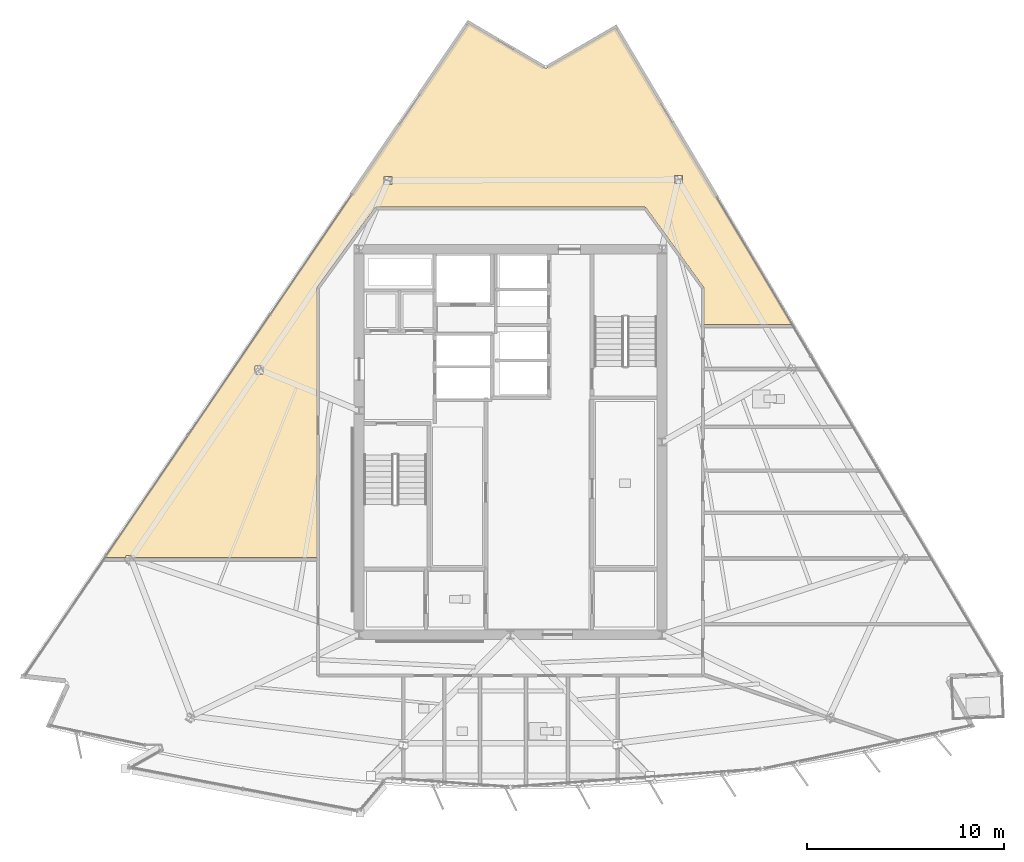
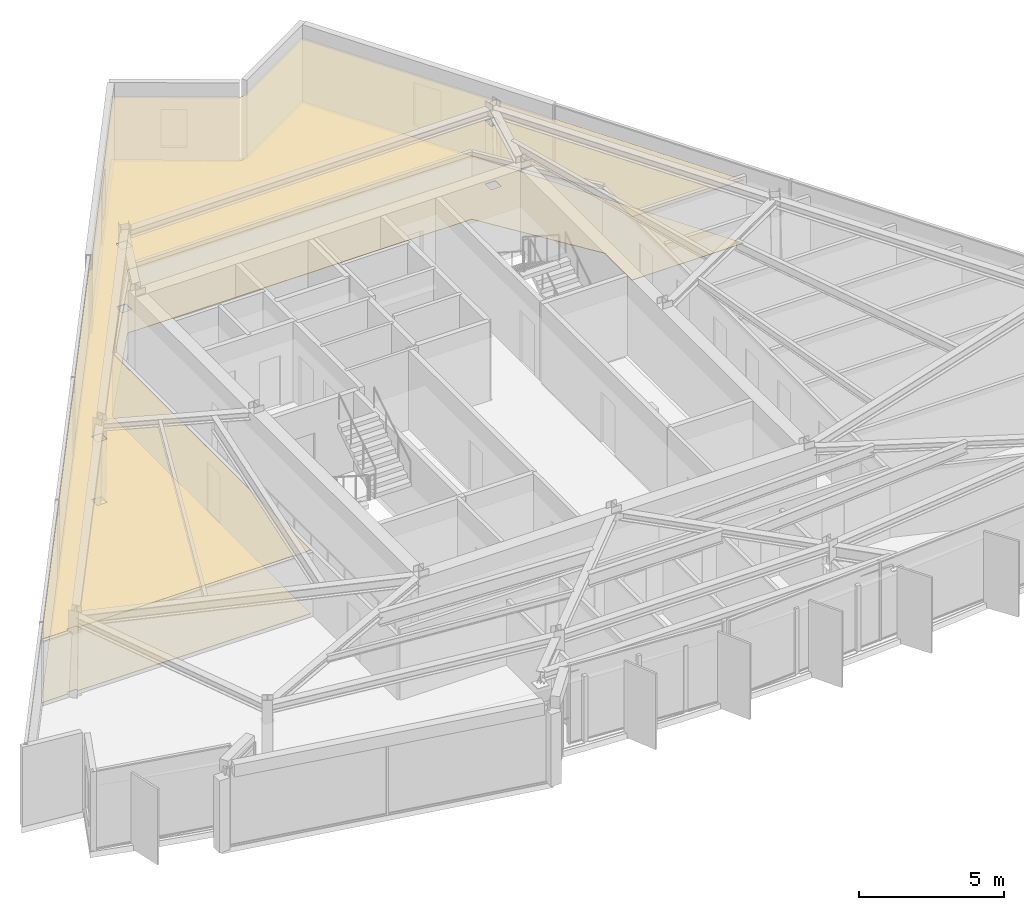
# One storey, part 12 of 14: 2 coverings.
"""IFC4 building model written with IfcOpenShell, lengths in metres."""

from ifc_helpers import new_model, si_unit, direction, frame, origin, place, context, subcontext, project, spatial, polyline, outline, extrude, material, layer, layer_set, type_object, element, save


model = new_model("IFC4")

# Units and contexts
model_context = context("Model", 3, precision=1e-05, world=origin(), true_north=direction((0.0, 1.0)))
body_context = subcontext(model_context, "Body", "Model", "MODEL_VIEW")
ifc_project = project(units=[si_unit("LENGTHUNIT", "METRE"), si_unit("AREAUNIT", "SQUARE_METRE"), si_unit("VOLUMEUNIT", "CUBIC_METRE"), si_unit("PLANEANGLEUNIT", "RADIAN"), si_unit("MASSUNIT", "GRAM", prefix="KILO")], contexts=[model_context])

# Site, building, storey
site_placement = place(None, origin())
site = spatial("IfcSite", under=ifc_project, at=site_placement, CompositionType="ELEMENT")
building_placement = place(site_placement, origin())
building = spatial("IfcBuilding", under=site, at=building_placement, Name="Savorim Split Tower", CompositionType="ELEMENT")
storey_placement = place(building_placement, frame((0.0, 0.0, 230.699951171875)))
storey = spatial("IfcBuildingStorey", under=building, at=storey_placement, Name="L61", CompositionType="ELEMENT", Elevation=230.699951171875)

# Coverings
ifc_material_1 = material(Name="Mineral Fibre Acoustic Ceiling")
ifc_layer_1 = layer(ifc_material_1, 0.02490234375)
ifc_layer_set_1 = layer_set([ifc_layer_1], Name="COV-CEIL-25")
covering_type_1 = type_object("IfcCoveringType", Name="COV-CEIL-25", PredefinedType="CEILING", material=ifc_layer_set_1)
covering_1_placement = place(storey_placement, frame((0.0, 0.0, 2.670166015625)))
element("IfcCovering", 1, at=covering_1_placement, inside=storey, type_object=covering_type_1, Name="L61 Co-Working Commons Acoustic Ceiling", PredefinedType="CEILING", context=body_context, shape_type="SweptSolid", body=[
    extrude(outline(polyline([(1.748779296875, 19.415283203125), (1.73828125, 19.419921875), (1.72802734375, 19.425048828125), (-2.13427734375, 21.695068359375), (-20.6201171875, -5.478759765625), (-19.53759765625, -5.478759765625), (-19.53759765625, -5.377685546875), (-19.1435546875, -5.377685546875), (-19.1435546875, -5.478759765625), (-9.840087890625, -5.478759765625), (-9.840087890625, 8.199951171875), (-9.839111328125, 8.214599609375), (-9.8369140625, 8.22900390625), (-9.833251953125, 8.2431640625), (-9.827880859375, 8.2568359375), (-9.8212890625, 8.27001953125), (-9.813232421875, 8.2822265625), (-6.913330078125, 12.2822265625), (-6.905029296875, 12.29248046875), (-6.89599609375, 12.302001953125), (-6.885986328125, 12.310546875), (-6.875, 12.318115234375), (-6.863525390625, 12.32470703125), (-6.8515625, 12.330078125), (-6.839111328125, 12.33447265625), (-6.826416015625, 12.33740234375), (-6.813232421875, 12.33935546875), (-6.800048828125, 12.340087890625), (6.800048828125, 12.340087890625), (6.813232421875, 12.33935546875), (6.826416015625, 12.33740234375), (6.839111328125, 12.33447265625), (6.8515625, 12.330078125), (6.863525390625, 12.32470703125), (6.875, 12.318115234375), (6.885986328125, 12.310546875), (6.89599609375, 12.302001953125), (6.905029296875, 12.29248046875), (6.913330078125, 12.2822265625), (9.813232421875, 8.2822265625), (9.8212890625, 8.27001953125), (9.827880859375, 8.2568359375), (9.833251953125, 8.2431640625), (9.8369140625, 8.22900390625), (9.839111328125, 8.214599609375), (9.840087890625, 8.199951171875), (9.840087890625, 6.384521484375), (14.30908203125, 6.384521484375), (5.343994140625, 21.461669921875), (1.84912109375, 19.4248046875), (1.839111328125, 19.419677734375), (1.828369140625, 19.415283203125), (1.817138671875, 19.412109375), (1.805908203125, 19.409912109375), (1.79443359375, 19.40869140625), (1.78271484375, 19.40869140625), (1.771240234375, 19.409912109375), (1.760009765625, 19.412109375), (1.748779296875, 19.415283203125)]), holes=[polyline([(8.7373046875, 13.938232421875), (8.343505859375, 13.938232421875), (8.343505859375, 13.54638671875), (8.7373046875, 13.54638671875), (8.7373046875, 13.938232421875)]), polyline([(-6.036376953125, 13.889404296875), (-6.430419921875, 13.889404296875), (-6.430419921875, 13.49755859375), (-6.036376953125, 13.49755859375), (-6.036376953125, 13.889404296875)]), polyline([(-12.98388671875, 4.255859375), (-12.98388671875, 3.86376953125), (-12.590087890625, 3.86376953125), (-12.590087890625, 4.255859375), (-12.98388671875, 4.255859375)])]), origin(), (0.0, 0.0, 1.0), 0.02490234375),
])
ifc_material_2 = material(Name="Porcelain Stoneware Flooring", Category="masonry")
ifc_layer_2 = layer(ifc_material_2, 0.02001953125)
ifc_layer_set_2 = layer_set([ifc_layer_2], Name="COV-FLOR-20")
covering_type_2 = type_object("IfcCoveringType", Name="COV-FLOR-20", PredefinedType="FLOORING", material=ifc_layer_set_2)
covering_2_placement = place(storey_placement, origin())
element("IfcCovering", 2, at=covering_2_placement, inside=storey, type_object=covering_type_2, Name="L61 Co-Working Commons Porcelain Flooring", PredefinedType="FLOORING", context=body_context, shape_type="SweptSolid", body=[
    extrude(outline(polyline([(1.748779296875, 19.415283203125), (1.73828125, 19.419921875), (1.72802734375, 19.425048828125), (-2.13427734375, 21.695068359375), (-20.6201171875, -5.478759765625), (-19.53759765625, -5.478759765625), (-19.53759765625, -5.377685546875), (-19.1435546875, -5.377685546875), (-19.1435546875, -5.478759765625), (-9.840087890625, -5.478759765625), (-9.840087890625, 8.199951171875), (-9.839111328125, 8.214599609375), (-9.8369140625, 8.22900390625), (-9.833251953125, 8.2431640625), (-9.827880859375, 8.2568359375), (-9.8212890625, 8.27001953125), (-9.813232421875, 8.2822265625), (-6.913330078125, 12.2822265625), (-6.905029296875, 12.29248046875), (-6.89599609375, 12.302001953125), (-6.885986328125, 12.310546875), (-6.875, 12.318115234375), (-6.863525390625, 12.32470703125), (-6.8515625, 12.330078125), (-6.839111328125, 12.33447265625), (-6.826416015625, 12.33740234375), (-6.813232421875, 12.33935546875), (-6.800048828125, 12.340087890625), (6.800048828125, 12.340087890625), (6.813232421875, 12.33935546875), (6.826416015625, 12.33740234375), (6.839111328125, 12.33447265625), (6.8515625, 12.330078125), (6.863525390625, 12.32470703125), (6.875, 12.318115234375), (6.885986328125, 12.310546875), (6.89599609375, 12.302001953125), (6.905029296875, 12.29248046875), (6.913330078125, 12.2822265625), (9.813232421875, 8.2822265625), (9.8212890625, 8.27001953125), (9.827880859375, 8.2568359375), (9.833251953125, 8.2431640625), (9.8369140625, 8.22900390625), (9.839111328125, 8.214599609375), (9.840087890625, 8.199951171875), (9.840087890625, 6.384521484375), (14.30908203125, 6.384521484375), (5.343994140625, 21.461669921875), (1.84912109375, 19.4248046875), (1.839111328125, 19.419677734375), (1.828369140625, 19.415283203125), (1.817138671875, 19.412109375), (1.805908203125, 19.409912109375), (1.79443359375, 19.40869140625), (1.78271484375, 19.40869140625), (1.771240234375, 19.409912109375), (1.760009765625, 19.412109375), (1.748779296875, 19.415283203125)]), holes=[polyline([(8.7373046875, 13.938232421875), (8.343505859375, 13.938232421875), (8.343505859375, 13.54638671875), (8.7373046875, 13.54638671875), (8.7373046875, 13.938232421875)]), polyline([(-6.036376953125, 13.889404296875), (-6.430419921875, 13.889404296875), (-6.430419921875, 13.49755859375), (-6.036376953125, 13.49755859375), (-6.036376953125, 13.889404296875)]), polyline([(-12.98388671875, 4.255859375), (-12.98388671875, 3.86376953125), (-12.590087890625, 3.86376953125), (-12.590087890625, 4.255859375), (-12.98388671875, 4.255859375)])]), origin(), (0.0, 0.0, 1.0), 0.02001953125),
])

save(model, "model.ifc")
